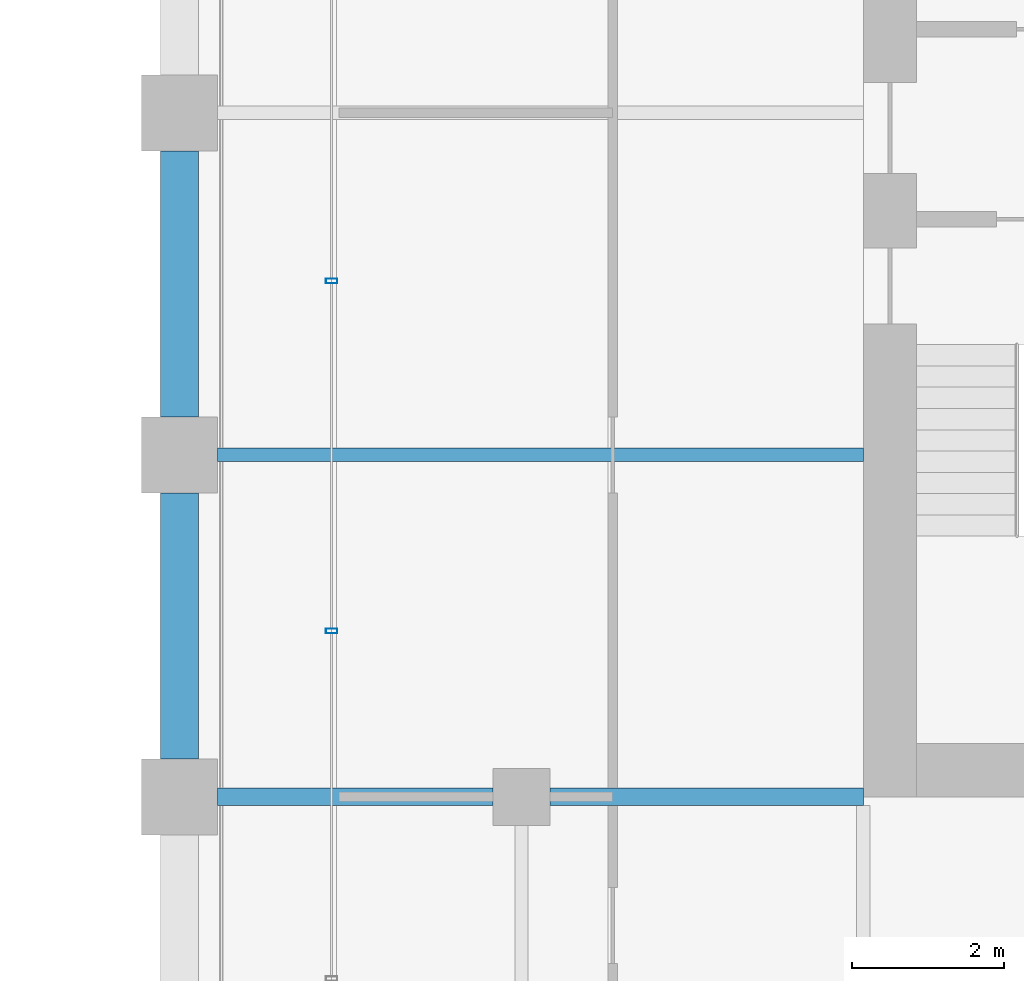
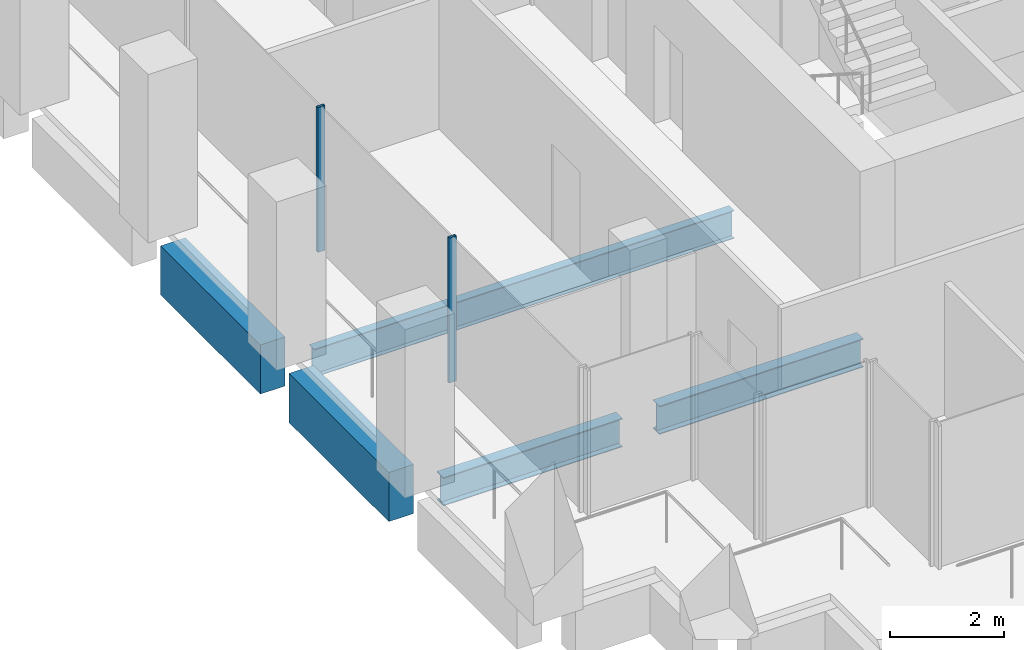
# One storey, part 30 of 46: 5 beams, 2 members, 1 element without a shape of its own.
"""IFC4 building model written with IfcOpenShell, lengths in metres."""

from ifc_helpers import new_model, si_unit, direction, frame, origin, origin_2d, place, context, subcontext, project, spatial, rectangle, hollow_rectangle, i_section, extrude, material, material_profile, profile_set, type_object, element, aggregate, save


model = new_model("IFC4")

# Units and contexts
model_context = context("Model", 3, precision=1e-05, world=origin(), true_north=direction((0.0, 1.0)))
body_context = subcontext(model_context, "Body", "Model", "MODEL_VIEW")
ifc_project = project(units=[si_unit("LENGTHUNIT", "METRE"), si_unit("AREAUNIT", "SQUARE_METRE"), si_unit("VOLUMEUNIT", "CUBIC_METRE"), si_unit("PLANEANGLEUNIT", "RADIAN"), si_unit("MASSUNIT", "GRAM", prefix="KILO")], contexts=[model_context])

# Site, building, storey
site_placement = place(None, origin())
site = spatial("IfcSite", under=ifc_project, at=site_placement, CompositionType="ELEMENT")
building_placement = place(site_placement, origin())
building = spatial("IfcBuilding", under=site, at=building_placement, Name="Altepetl Exchange Towers", CompositionType="ELEMENT")
storey_placement = place(building_placement, frame((0.0, 0.0, 124.39990234375)))
storey = spatial("IfcBuildingStorey", under=building, at=storey_placement, Name="L30", CompositionType="ELEMENT", Elevation=124.39990234375)

# Beams
ifc_material_1 = material(Name="Steel S355", Category="steel")
ifc_material_profile_1 = material_profile(ifc_material_1, i_section(OverallWidth=0.177978515625, OverallDepth=0.59912109375, WebThickness=0.010009765625, FlangeThickness=0.0126953125, at=origin_2d()), Name="W24X55")
ifc_profile_set_1 = profile_set([ifc_material_profile_1], Name="Steel S355")
beam_type_1 = type_object("IfcBeamType", Name="Floor beam W24X55", PredefinedType="BEAM", material=ifc_profile_set_1)
beam_1_placement = place(storey_placement, frame((95.0, 40.5, -0.449462890625), z_axis=(1.0, 0.0, 0.0), x_axis=(0.0, 1.0, 0.0)))
element("IfcBeam", 1, at=beam_1_placement, inside=storey, type_object=beam_type_1, Name="bm:B:L30:008", PredefinedType="BEAM", context=body_context, shape_type="SweptSolid", body=[
    extrude(i_section(OverallWidth=0.177978515625, OverallDepth=0.59912109375, WebThickness=0.010009765625, FlangeThickness=0.0126953125, at=origin_2d()), origin(), (0.0, 0.0, 1.0), 8.5),
])
ifc_material_profile_2 = material_profile(ifc_material_1, i_section(OverallWidth=0.22802734375, OverallDepth=0.60791015625, WebThickness=0.01123046875, FlangeThickness=0.017333984375, at=origin_2d()), Name="W24X76")
ifc_profile_set_2 = profile_set([ifc_material_profile_2], Name="Steel S355")
beam_type_2 = type_object("IfcBeamType", Name="Girder W24X76", PredefinedType="BEAM", material=ifc_profile_set_2)
beam_2_placement = place(storey_placement, frame((103.5, 36.0, -0.453857421875), z_axis=(-1.0, 0.0, 0.0), x_axis=(0.0, -1.0, 0.0)))
element("IfcBeam", 2, at=beam_2_placement, inside=storey, type_object=beam_type_2, Name="gd:B:L30:002", PredefinedType="BEAM", context=body_context, shape_type="SweptSolid", body=[
    extrude(i_section(OverallWidth=0.22802734375, OverallDepth=0.60791015625, WebThickness=0.01123046875, FlangeThickness=0.017333984375, at=origin_2d()), origin(), (0.0, 0.0, 1.0), 4.125),
])
beam_3_placement = place(storey_placement, frame((98.625, 36.0, -0.453857421875), z_axis=(-1.0, 0.0, 0.0), x_axis=(0.0, -1.0, 0.0)))
element("IfcBeam", 3, at=beam_3_placement, inside=storey, type_object=beam_type_2, Name="gd:B:L30:003", PredefinedType="BEAM", context=body_context, shape_type="SweptSolid", body=[
    extrude(i_section(OverallWidth=0.22802734375, OverallDepth=0.60791015625, WebThickness=0.01123046875, FlangeThickness=0.017333984375, at=origin_2d()), origin(), (0.0, 0.0, 1.0), 3.625),
])

# Curtain wall, members
ifc_material_2 = material(Name="Aluminium 6063-T6 glazing", Category="aluminium")
curtain_wall_type = type_object("IfcCurtainWallType", Name="Loggia glazing system", PredefinedType="NOTDEFINED", material=ifc_material_2)
curtain_wall_placement = place(storey_placement, origin())
curtain_wall = element("IfcCurtainWall", 4, at=curtain_wall_placement, inside=storey, type_object=curtain_wall_type, Name="CW1 run", PredefinedType="NOTDEFINED")
ifc_material_3 = material(Name="Aluminium 6063-T6", Category="aluminium")
ifc_material_profile_3 = material_profile(ifc_material_3, hollow_rectangle(XDim=0.06005859375, YDim=0.14990234375, WallThickness=0.0029296875, at=origin_2d()), Name="Mullion 60x150 aluminium")
ifc_profile_set_3 = profile_set([ifc_material_profile_3], Name="Aluminium 6063-T6")
member_type = type_object("IfcMemberType", Name="Mullion 60x150 aluminium", PredefinedType="MULLION", material=ifc_profile_set_3)
member_1_placement = place(storey_placement, frame((96.5, 42.78759765625, 0.0), z_axis=(0.0, 0.0, 1.0), x_axis=(0.0, -1.0, 0.0)))
member_1 = element("IfcMember", 5, at=member_1_placement, type_object=member_type, Name="MU1 mullion", PredefinedType="MULLION", context=body_context, shape_type="SweptSolid", body=[
    extrude(hollow_rectangle(XDim=0.06005859375, YDim=0.14990234375, WallThickness=0.0029296875, at=origin_2d()), origin(), (0.0, 0.0, 1.0), 3.10009765625),
])
member_2_placement = place(storey_placement, frame((96.5, 38.18115234375, 0.0), z_axis=(0.0, 0.0, 1.0), x_axis=(0.0, -1.0, 0.0)))
member_2 = element("IfcMember", 6, at=member_2_placement, type_object=member_type, Name="MU1 mullion", PredefinedType="MULLION", context=body_context, shape_type="SweptSolid", body=[
    extrude(hollow_rectangle(XDim=0.06005859375, YDim=0.14990234375, WallThickness=0.0029296875, at=origin_2d()), origin(), (0.0, 0.0, 1.0), 3.10009765625),
])
aggregate(curtain_wall, [member_1, member_2])

# Beams
ifc_material_4 = material(Name="Concrete C50/60 precast with cantera rosa facing", Category="concrete")
ifc_material_profile_4 = material_profile(ifc_material_4, rectangle(XDim=0.5, YDim=1.050048828125, at=origin_2d()), Name="500 x 1050")
ifc_profile_set_4 = profile_set([ifc_material_profile_4], Name="Concrete C50/60 precast with cantera rosa facing")
beam_type_3 = type_object("IfcBeamType", Name="Spandrel beam 500x1050 cantera rosa", PredefinedType="SPANDREL", material=ifc_profile_set_4)
for number, where, z_axis, x_axis, name in (
    (7, (94.5, 44.5, -0.6748046875), (0.0, -1.0, 0.0), (1.0, 0.0, 0.0), "sp:B:L30:024"),
    (8, (94.5, 40.0, -0.6748046875), (0.0, -1.0, 0.0), (1.0, 0.0, 0.0), "sp:B:L30:025"),
):
    element("IfcBeam", number, at=place(storey_placement, frame(where, z_axis=z_axis, x_axis=x_axis)), inside=storey, type_object=beam_type_3, Name=name, PredefinedType="SPANDREL", context=body_context, shape_type="SweptSolid", body=[
        extrude(rectangle(XDim=0.5, YDim=1.050048828125, at=origin_2d()), origin(), (0.0, 0.0, 1.0), 3.5),
    ])

save(model, "model.ifc")
